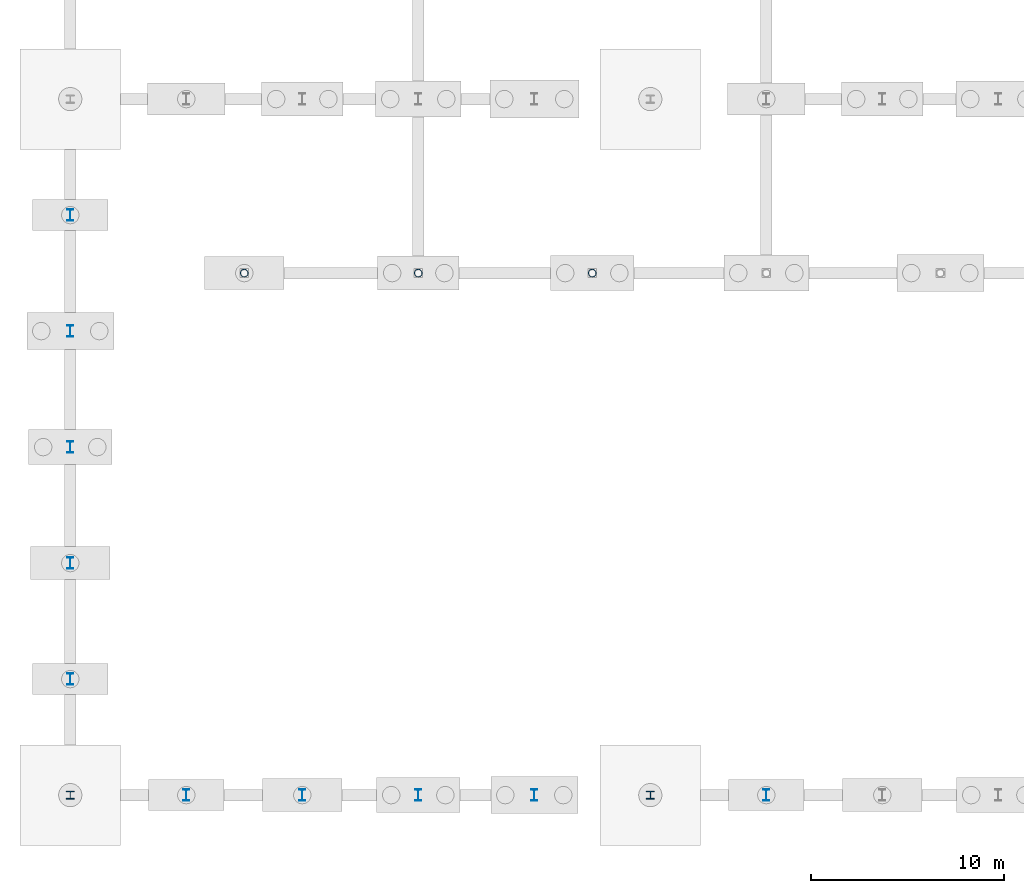
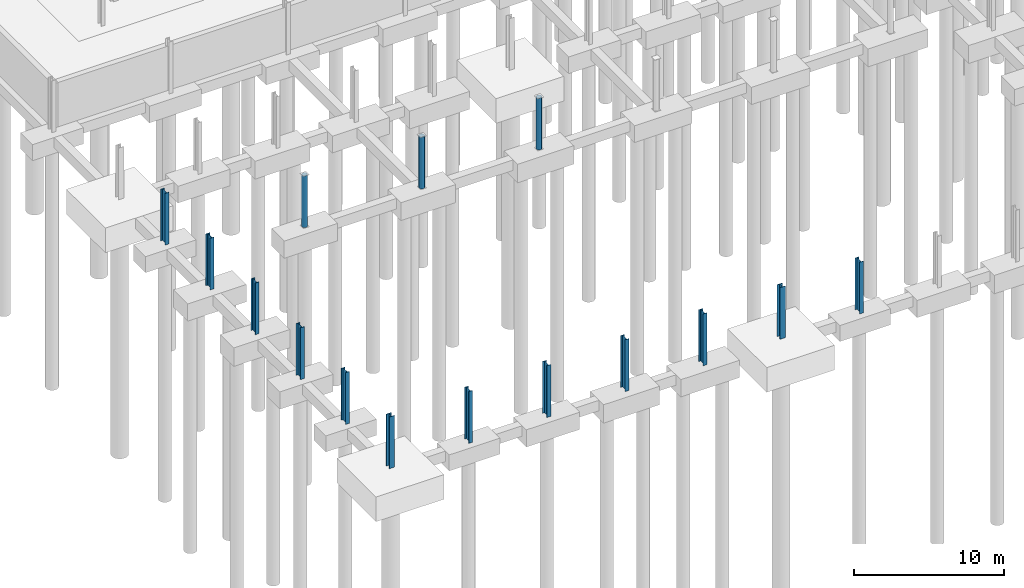
# One storey, part 10 of 42: 15 columns.
"""IFC4 building model written with IfcOpenShell, lengths in metres."""

from ifc_helpers import new_model, si_unit, direction, frame, origin, origin_2d, place, context, subcontext, project, spatial, hollow_circle, i_section, extrude, material, material_profile, profile_set, type_object, element, save


model = new_model("IFC4")

# Units and contexts
model_context = context("Model", 3, precision=1e-05, world=origin(), true_north=direction((0.0, 1.0)))
body_context = subcontext(model_context, "Body", "Model", "MODEL_VIEW")
ifc_project = project(units=[si_unit("LENGTHUNIT", "METRE"), si_unit("AREAUNIT", "SQUARE_METRE"), si_unit("VOLUMEUNIT", "CUBIC_METRE"), si_unit("PLANEANGLEUNIT", "RADIAN"), si_unit("MASSUNIT", "GRAM", prefix="KILO")], contexts=[model_context])

# Site, building, storey
site_placement = place(None, origin())
site = spatial("IfcSite", under=ifc_project, at=site_placement, CompositionType="ELEMENT")
building_placement = place(site_placement, origin())
building = spatial("IfcBuilding", under=site, at=building_placement, Name="Deido Ridge Mobility Hub", CompositionType="ELEMENT")
storey_placement = place(building_placement, frame((0.0, 0.0, -4.199951171875)))
storey = spatial("IfcBuildingStorey", under=building, at=storey_placement, Name="B1", CompositionType="ELEMENT", Elevation=-4.199951171875)

# Columns
ifc_material_1 = material(Name="Steel S355J2H EN 10210-1", Category="steel")
ifc_material_profile_1 = material_profile(ifc_material_1, hollow_circle(Radius=0.203125, WallThickness=0.01611328125, at=origin_2d()), Name="CHS 406.4x16")
ifc_profile_set_1 = profile_set([ifc_material_profile_1], Name="Steel S355J2H EN 10210-1")
column_type_1 = type_object("IfcColumnType", Name="COL-CHS406", PredefinedType="COLUMN", material=ifc_profile_set_1)
for number, where, z_axis, x_axis, name in (
    (1, (9.0, 27.0, 0.0), (0.0, 0.0, 1.0), (1.0, 0.0, 0.0), "Structural column C10"),
    (2, (18.0, 27.0, 0.0), (0.0, 0.0, 1.0), (1.0, 0.0, 0.0), "Structural column C10"),
    (3, (27.0, 27.0, 0.0), (0.0, 0.0, 1.0), (1.0, 0.0, 0.0), "Structural column C10"),
):
    element("IfcColumn", number, at=place(storey_placement, frame(where, z_axis=z_axis, x_axis=x_axis)), inside=storey, type_object=column_type_1, Name=name, PredefinedType="COLUMN", context=body_context, shape_type="SweptSolid", body=[
        extrude(hollow_circle(Radius=0.203125, WallThickness=0.01611328125, at=origin_2d()), origin(), (0.0, 0.0, 1.0), 4.199951171875),
    ])
ifc_material_2 = material(Name="Steel S355J2 EN 10025-2", Category="steel")
ifc_material_profile_2 = material_profile(ifc_material_2, i_section(OverallWidth=0.406005859375, OverallDepth=0.416015625, WebThickness=0.02392578125, FlangeThickness=0.0390625, FilletRadius=0.014892578125, at=origin_2d()), Name="HD 400x382")
ifc_profile_set_2 = profile_set([ifc_material_profile_2], Name="Steel S355J2 EN 10025-2")
column_type_2 = type_object("IfcColumnType", Name="COL-HD400-382", PredefinedType="COLUMN", material=ifc_profile_set_2)
for number, where, z_axis, x_axis, name in (
    (4, (0.0, 0.0, 0.0), (0.0, 0.0, 1.0), (1.0, 0.0, 0.0), "Structural column MC1"),
    (5, (30.0, 0.0, 0.0), (0.0, 0.0, 1.0), (1.0, 0.0, 0.0), "Structural column MC5"),
):
    element("IfcColumn", number, at=place(storey_placement, frame(where, z_axis=z_axis, x_axis=x_axis)), inside=storey, type_object=column_type_2, Name=name, PredefinedType="COLUMN", context=body_context, shape_type="SweptSolid", body=[
        extrude(i_section(OverallWidth=0.406005859375, OverallDepth=0.416015625, WebThickness=0.02392578125, FlangeThickness=0.0390625, FilletRadius=0.014892578125, at=origin_2d()), origin(), (0.0, 0.0, 1.0), 4.199951171875),
    ])
ifc_material_profile_3 = material_profile(ifc_material_2, i_section(OverallWidth=0.300048828125, OverallDepth=0.60009765625, WebThickness=0.015380859375, FlangeThickness=0.030029296875, FilletRadius=0.027099609375, at=origin_2d()), Name="HEB 600")
ifc_profile_set_3 = profile_set([ifc_material_profile_3], Name="Steel S355J2 EN 10025-2")
column_type_3 = type_object("IfcColumnType", Name="COL-HEB600", PredefinedType="COLUMN", material=ifc_profile_set_3)
for number, where, z_axis, x_axis, name in (
    (6, (6.0, 0.0, 0.0), (0.0, 0.0, 1.0), (1.0, 0.0, 0.0), "Structural column C4"),
    (7, (12.0, 0.0, 0.0), (0.0, 0.0, 1.0), (1.0, 0.0, 0.0), "Structural column C4"),
    (8, (18.0, 0.0, 0.0), (0.0, 0.0, 1.0), (1.0, 0.0, 0.0), "Structural column C4"),
    (9, (24.0, 0.0, 0.0), (0.0, 0.0, 1.0), (1.0, 0.0, 0.0), "Structural column C4"),
    (10, (36.0, 0.0, 0.0), (0.0, 0.0, 1.0), (1.0, 0.0, 0.0), "Structural column C4"),
    (11, (0.0, 6.0, 0.0), (0.0, 0.0, 1.0), (1.0, 0.0, 0.0), "Structural column C4"),
    (12, (0.0, 12.0, 0.0), (0.0, 0.0, 1.0), (1.0, 0.0, 0.0), "Structural column C4"),
    (13, (0.0, 18.0, 0.0), (0.0, 0.0, 1.0), (1.0, 0.0, 0.0), "Structural column C4"),
    (14, (0.0, 24.0, 0.0), (0.0, 0.0, 1.0), (1.0, 0.0, 0.0), "Structural column C4"),
    (15, (0.0, 30.0, 0.0), (0.0, 0.0, 1.0), (1.0, 0.0, 0.0), "Structural column C4"),
):
    element("IfcColumn", number, at=place(storey_placement, frame(where, z_axis=z_axis, x_axis=x_axis)), inside=storey, type_object=column_type_3, Name=name, PredefinedType="COLUMN", context=body_context, shape_type="SweptSolid", body=[
        extrude(i_section(OverallWidth=0.300048828125, OverallDepth=0.60009765625, WebThickness=0.015380859375, FlangeThickness=0.030029296875, FilletRadius=0.027099609375, at=origin_2d()), origin(), (0.0, 0.0, 1.0), 4.199951171875),
    ])

save(model, "model.ifc")
